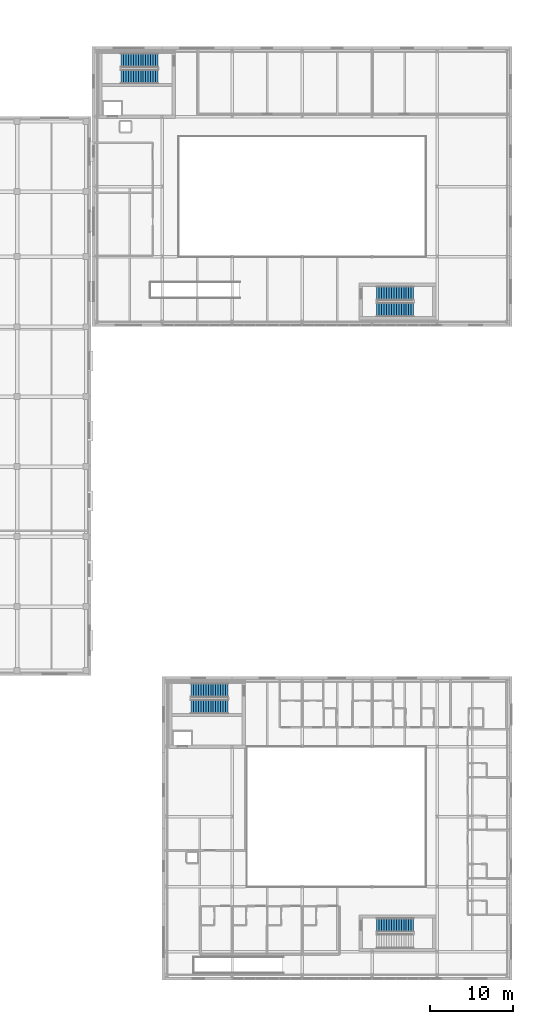
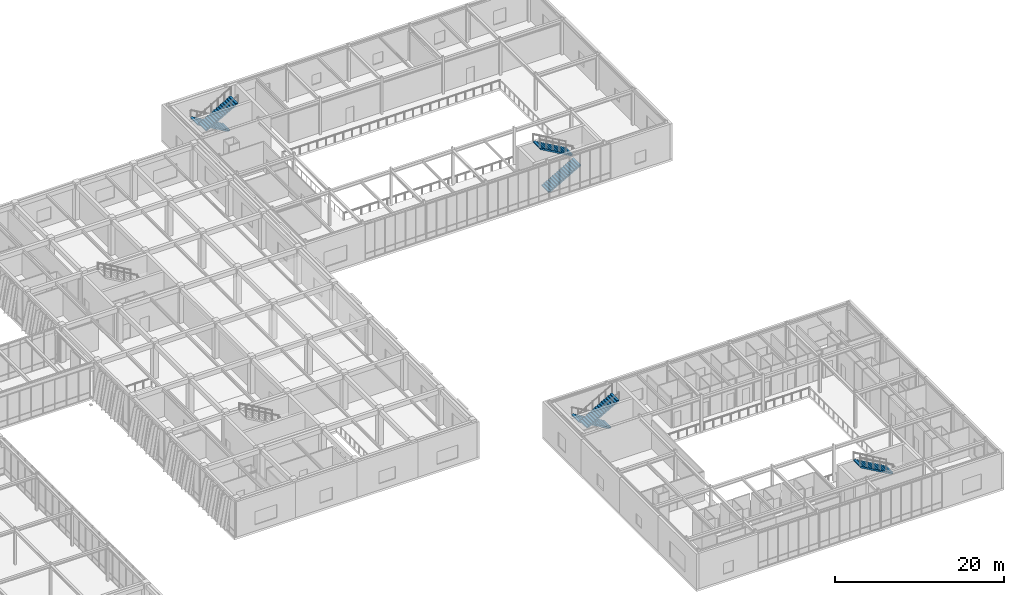
# One storey, part 122 of 139: 7 stair flights, 4 elements without a shape of their own.
"""IFC4 building model written with IfcOpenShell, lengths in metres."""

from ifc_helpers import new_model, si_unit, direction, frame, origin, place, context, subcontext, project, spatial, polyline, outline, extrude, material, type_object, element, aggregate, save


model = new_model("IFC4")

# Units and contexts
model_context = context("Model", 3, precision=1e-05, world=origin(), true_north=direction((0.0, 1.0)))
body_context = subcontext(model_context, "Body", "Model", "MODEL_VIEW")
ifc_project = project(units=[si_unit("LENGTHUNIT", "METRE"), si_unit("AREAUNIT", "SQUARE_METRE"), si_unit("VOLUMEUNIT", "CUBIC_METRE"), si_unit("PLANEANGLEUNIT", "RADIAN"), si_unit("MASSUNIT", "GRAM", prefix="KILO")], contexts=[model_context])

# Site, building, storey
site_placement = place(None, origin())
site = spatial("IfcSite", under=ifc_project, at=site_placement, CompositionType="ELEMENT")
building_placement = place(site_placement, origin())
building = spatial("IfcBuilding", under=site, at=building_placement, Name="Zayran Congress Hotel", CompositionType="ELEMENT")
storey_placement = place(building_placement, frame((0.0, 0.0, 5.39990234375)))
storey = spatial("IfcBuildingStorey", under=building, at=storey_placement, Name="L01", CompositionType="ELEMENT", Elevation=5.39990234375)

# Stair, stair flights
ifc_material = material(Name="Concrete C32/40", Category="concrete")
stair_type = type_object("IfcStairType", Name="TP-STR-1700-54", PredefinedType="USERDEFINED", material=ifc_material)
stair_1_placement = place(storey_placement, origin())
stair_1 = element("IfcStair", 1, at=stair_1_placement, inside=storey, type_object=stair_type, Name="L01 ST-09", ObjectType="TWO_RETURN_STAIR", PredefinedType="USERDEFINED")
stair_flight_type = type_object("IfcStairFlightType", Name="TP-STF-1700-54", PredefinedType="STRAIGHT", material=ifc_material)
stair_flight_1_placement = place(storey_placement, frame((150.699951171875, 116.35009765625, 0.0), z_axis=(0.0, 0.0, 1.0), x_axis=(-1.0, 0.0, 0.0)))
stair_flight_1 = element("IfcStairFlight", 2, at=stair_flight_1_placement, type_object=stair_flight_type, Name="ST-09 flight 1", NumberOfRisers=16, NumberOfTreads=15, PredefinedType="STRAIGHT", RiserHeight=0.16875, TreadLength=0.295, context=body_context, shape_type="SweptSolid", body=[
    extrude(outline(polyline([(0.0, 0.0), (0.0, 0.168701171875), (0.294921875, 0.168701171875), (0.294921875, 0.33740234375), (0.590087890625, 0.33740234375), (0.590087890625, 0.50634765625), (0.885009765625, 0.50634765625), (0.885009765625, 0.675048828125), (1.179931640625, 0.675048828125), (1.179931640625, 0.84375), (1.47509765625, 0.84375), (1.47509765625, 1.012451171875), (1.77001953125, 1.012451171875), (1.77001953125, 1.18115234375), (2.06494140625, 1.18115234375), (2.06494140625, 1.35009765625), (2.360107421875, 1.35009765625), (2.360107421875, 1.518798828125), (2.655029296875, 1.518798828125), (2.655029296875, 1.6875), (2.949951171875, 1.6875), (2.949951171875, 1.856201171875), (3.2451171875, 1.856201171875), (3.2451171875, 2.02490234375), (3.5400390625, 2.02490234375), (3.5400390625, 2.19384765625), (3.8349609375, 2.19384765625), (3.8349609375, 2.362548828125), (4.1298828125, 2.362548828125), (4.1298828125, 2.53125), (4.425048828125, 2.53125), (4.425048828125, 2.699951171875), (4.425048828125, 2.358642578125), (0.302001953125, 0.0), (0.0, 0.0)])), frame((0.0, 0.85009765625, 0.0), z_axis=(0.0, -1.0, 0.0), x_axis=(1.0, 0.0, 0.0)), (0.0, 0.0, 1.0), 1.699951171875),
])
stair_flight_2_placement = place(storey_placement, frame((146.27490234375, 114.409912109375, 2.7001953125), z_axis=(0.0, 0.0, 1.0), x_axis=(1.0, 0.0, 0.0)))
stair_flight_2 = element("IfcStairFlight", 3, at=stair_flight_2_placement, type_object=stair_flight_type, Name="ST-09 flight 2", NumberOfRisers=16, NumberOfTreads=15, PredefinedType="STRAIGHT", RiserHeight=0.16875, TreadLength=0.295, context=body_context, shape_type="SweptSolid", body=[
    extrude(outline(polyline([(0.0, 0.0), (0.0, 0.168701171875), (0.294921875, 0.168701171875), (0.294921875, 0.33740234375), (0.590087890625, 0.33740234375), (0.590087890625, 0.50634765625), (0.885009765625, 0.50634765625), (0.885009765625, 0.675048828125), (1.179931640625, 0.675048828125), (1.179931640625, 0.84375), (1.47509765625, 0.84375), (1.47509765625, 1.012451171875), (1.77001953125, 1.012451171875), (1.77001953125, 1.18115234375), (2.06494140625, 1.18115234375), (2.06494140625, 1.35009765625), (2.360107421875, 1.35009765625), (2.360107421875, 1.518798828125), (2.655029296875, 1.518798828125), (2.655029296875, 1.6875), (2.949951171875, 1.6875), (2.949951171875, 1.856201171875), (3.2451171875, 1.856201171875), (3.2451171875, 2.02490234375), (3.5400390625, 2.02490234375), (3.5400390625, 2.19384765625), (3.8349609375, 2.19384765625), (3.8349609375, 2.362548828125), (4.1298828125, 2.362548828125), (4.1298828125, 2.53125), (4.425048828125, 2.53125), (4.425048828125, 2.699951171875), (4.425048828125, 2.358642578125), (0.302001953125, 0.0), (0.0, 0.0)])), frame((0.0, 0.85009765625, 0.0), z_axis=(0.0, -1.0, 0.0), x_axis=(1.0, 0.0, 0.0)), (0.0, 0.0, 1.0), 1.699951171875),
])
aggregate(stair_1, [stair_flight_1, stair_flight_2])

stair_2_placement = place(storey_placement, origin())
stair_2 = element("IfcStair", 4, at=stair_2_placement, inside=storey, type_object=stair_type, Name="L01 ST-10", ObjectType="TWO_RETURN_STAIR", PredefinedType="USERDEFINED")
stair_flight_3_placement = place(storey_placement, frame((176.949951171875, 86.449951171875, 0.0), z_axis=(0.0, 0.0, 1.0), x_axis=(1.0, 0.0, 0.0)))
stair_flight_3 = element("IfcStairFlight", 5, at=stair_flight_3_placement, type_object=stair_flight_type, Name="ST-10 flight 1", NumberOfRisers=16, NumberOfTreads=15, PredefinedType="STRAIGHT", RiserHeight=0.16875, TreadLength=0.295, context=body_context, shape_type="SweptSolid", body=[
    extrude(outline(polyline([(0.0, 0.0), (0.0, 0.168701171875), (0.294921875, 0.168701171875), (0.294921875, 0.33740234375), (0.590087890625, 0.33740234375), (0.590087890625, 0.50634765625), (0.885009765625, 0.50634765625), (0.885009765625, 0.675048828125), (1.179931640625, 0.675048828125), (1.179931640625, 0.84375), (1.47509765625, 0.84375), (1.47509765625, 1.012451171875), (1.77001953125, 1.012451171875), (1.77001953125, 1.18115234375), (2.06494140625, 1.18115234375), (2.06494140625, 1.35009765625), (2.360107421875, 1.35009765625), (2.360107421875, 1.518798828125), (2.655029296875, 1.518798828125), (2.655029296875, 1.6875), (2.949951171875, 1.6875), (2.949951171875, 1.856201171875), (3.2451171875, 1.856201171875), (3.2451171875, 2.02490234375), (3.5400390625, 2.02490234375), (3.5400390625, 2.19384765625), (3.8349609375, 2.19384765625), (3.8349609375, 2.362548828125), (4.1298828125, 2.362548828125), (4.1298828125, 2.53125), (4.425048828125, 2.53125), (4.425048828125, 2.699951171875), (4.425048828125, 2.358642578125), (0.302001953125, 0.0), (0.0, 0.0)])), frame((0.0, 0.85009765625, 0.0), z_axis=(0.0, -1.0, 0.0), x_axis=(1.0, 0.0, 0.0)), (0.0, 0.0, 1.0), 1.699951171875),
])
stair_flight_4_placement = place(storey_placement, frame((181.375, 88.389892578125, 2.7001953125), z_axis=(0.0, 0.0, 1.0), x_axis=(-1.0, 0.0, 0.0)))
stair_flight_4 = element("IfcStairFlight", 6, at=stair_flight_4_placement, type_object=stair_flight_type, Name="ST-10 flight 2", NumberOfRisers=16, NumberOfTreads=15, PredefinedType="STRAIGHT", RiserHeight=0.16875, TreadLength=0.295, context=body_context, shape_type="SweptSolid", body=[
    extrude(outline(polyline([(0.0, 0.0), (0.0, 0.168701171875), (0.294921875, 0.168701171875), (0.294921875, 0.33740234375), (0.590087890625, 0.33740234375), (0.590087890625, 0.50634765625), (0.885009765625, 0.50634765625), (0.885009765625, 0.675048828125), (1.179931640625, 0.675048828125), (1.179931640625, 0.84375), (1.47509765625, 0.84375), (1.47509765625, 1.012451171875), (1.77001953125, 1.012451171875), (1.77001953125, 1.18115234375), (2.06494140625, 1.18115234375), (2.06494140625, 1.35009765625), (2.360107421875, 1.35009765625), (2.360107421875, 1.518798828125), (2.655029296875, 1.518798828125), (2.655029296875, 1.6875), (2.949951171875, 1.6875), (2.949951171875, 1.856201171875), (3.2451171875, 1.856201171875), (3.2451171875, 2.02490234375), (3.5400390625, 2.02490234375), (3.5400390625, 2.19384765625), (3.8349609375, 2.19384765625), (3.8349609375, 2.362548828125), (4.1298828125, 2.362548828125), (4.1298828125, 2.53125), (4.425048828125, 2.53125), (4.425048828125, 2.699951171875), (4.425048828125, 2.358642578125), (0.302001953125, 0.0), (0.0, 0.0)])), frame((0.0, 0.85009765625, 0.0), z_axis=(0.0, -1.0, 0.0), x_axis=(1.0, 0.0, 0.0)), (0.0, 0.0, 1.0), 1.699951171875),
])
aggregate(stair_2, [stair_flight_3, stair_flight_4])

stair_3_placement = place(storey_placement, origin())
stair_3 = element("IfcStair", 7, at=stair_3_placement, inside=storey, type_object=stair_type, Name="L01 ST-11", ObjectType="TWO_RETURN_STAIR", PredefinedType="USERDEFINED")
stair_flight_5_placement = place(storey_placement, frame((159.10009765625, 40.75, 0.0), z_axis=(0.0, 0.0, 1.0), x_axis=(-1.0, 0.0, 0.0)))
stair_flight_5 = element("IfcStairFlight", 8, at=stair_flight_5_placement, type_object=stair_flight_type, Name="ST-11 flight 1", NumberOfRisers=16, NumberOfTreads=15, PredefinedType="STRAIGHT", RiserHeight=0.16875, TreadLength=0.295, context=body_context, shape_type="SweptSolid", body=[
    extrude(outline(polyline([(0.0, 0.0), (0.0, 0.168701171875), (0.294921875, 0.168701171875), (0.294921875, 0.33740234375), (0.590087890625, 0.33740234375), (0.590087890625, 0.50634765625), (0.885009765625, 0.50634765625), (0.885009765625, 0.675048828125), (1.179931640625, 0.675048828125), (1.179931640625, 0.84375), (1.47509765625, 0.84375), (1.47509765625, 1.012451171875), (1.77001953125, 1.012451171875), (1.77001953125, 1.18115234375), (2.06494140625, 1.18115234375), (2.06494140625, 1.35009765625), (2.360107421875, 1.35009765625), (2.360107421875, 1.518798828125), (2.655029296875, 1.518798828125), (2.655029296875, 1.6875), (2.949951171875, 1.6875), (2.949951171875, 1.856201171875), (3.2451171875, 1.856201171875), (3.2451171875, 2.02490234375), (3.5400390625, 2.02490234375), (3.5400390625, 2.19384765625), (3.8349609375, 2.19384765625), (3.8349609375, 2.362548828125), (4.1298828125, 2.362548828125), (4.1298828125, 2.53125), (4.425048828125, 2.53125), (4.425048828125, 2.699951171875), (4.425048828125, 2.358642578125), (0.302001953125, 0.0), (0.0, 0.0)])), frame((0.0, 0.85009765625, 0.0), z_axis=(0.0, -1.0, 0.0), x_axis=(1.0, 0.0, 0.0)), (0.0, 0.0, 1.0), 1.699951171875),
])
stair_flight_6_placement = place(storey_placement, frame((154.675048828125, 38.81005859375, 2.7001953125), z_axis=(0.0, 0.0, 1.0), x_axis=(1.0, 0.0, 0.0)))
stair_flight_6 = element("IfcStairFlight", 9, at=stair_flight_6_placement, type_object=stair_flight_type, Name="ST-11 flight 2", NumberOfRisers=16, NumberOfTreads=15, PredefinedType="STRAIGHT", RiserHeight=0.16875, TreadLength=0.295, context=body_context, shape_type="SweptSolid", body=[
    extrude(outline(polyline([(0.0, 0.0), (0.0, 0.168701171875), (0.294921875, 0.168701171875), (0.294921875, 0.33740234375), (0.590087890625, 0.33740234375), (0.590087890625, 0.50634765625), (0.885009765625, 0.50634765625), (0.885009765625, 0.675048828125), (1.179931640625, 0.675048828125), (1.179931640625, 0.84375), (1.47509765625, 0.84375), (1.47509765625, 1.012451171875), (1.77001953125, 1.012451171875), (1.77001953125, 1.18115234375), (2.06494140625, 1.18115234375), (2.06494140625, 1.35009765625), (2.360107421875, 1.35009765625), (2.360107421875, 1.518798828125), (2.655029296875, 1.518798828125), (2.655029296875, 1.6875), (2.949951171875, 1.6875), (2.949951171875, 1.856201171875), (3.2451171875, 1.856201171875), (3.2451171875, 2.02490234375), (3.5400390625, 2.02490234375), (3.5400390625, 2.19384765625), (3.8349609375, 2.19384765625), (3.8349609375, 2.362548828125), (4.1298828125, 2.362548828125), (4.1298828125, 2.53125), (4.425048828125, 2.53125), (4.425048828125, 2.699951171875), (4.425048828125, 2.358642578125), (0.302001953125, 0.0), (0.0, 0.0)])), frame((0.0, 0.85009765625, 0.0), z_axis=(0.0, -1.0, 0.0), x_axis=(1.0, 0.0, 0.0)), (0.0, 0.0, 1.0), 1.699951171875),
])
aggregate(stair_3, [stair_flight_5, stair_flight_6])

# Stair, stair flight
stair_4_placement = place(storey_placement, origin())
stair_4 = element("IfcStair", 10, at=stair_4_placement, inside=storey, type_object=stair_type, Name="L01 ST-12", ObjectType="TWO_RETURN_STAIR", PredefinedType="USERDEFINED")
stair_flight_7_placement = place(storey_placement, frame((181.375, 12.590087890625, 2.7001953125), z_axis=(0.0, 0.0, 1.0), x_axis=(-1.0, 0.0, 0.0)))
stair_flight_7 = element("IfcStairFlight", 11, at=stair_flight_7_placement, type_object=stair_flight_type, Name="ST-12 flight 2", NumberOfRisers=16, NumberOfTreads=15, PredefinedType="STRAIGHT", RiserHeight=0.16875, TreadLength=0.295, context=body_context, shape_type="SweptSolid", body=[
    extrude(outline(polyline([(0.0, 0.0), (0.0, 0.168701171875), (0.294921875, 0.168701171875), (0.294921875, 0.33740234375), (0.590087890625, 0.33740234375), (0.590087890625, 0.50634765625), (0.885009765625, 0.50634765625), (0.885009765625, 0.675048828125), (1.179931640625, 0.675048828125), (1.179931640625, 0.84375), (1.47509765625, 0.84375), (1.47509765625, 1.012451171875), (1.77001953125, 1.012451171875), (1.77001953125, 1.18115234375), (2.06494140625, 1.18115234375), (2.06494140625, 1.35009765625), (2.360107421875, 1.35009765625), (2.360107421875, 1.518798828125), (2.655029296875, 1.518798828125), (2.655029296875, 1.6875), (2.949951171875, 1.6875), (2.949951171875, 1.856201171875), (3.2451171875, 1.856201171875), (3.2451171875, 2.02490234375), (3.5400390625, 2.02490234375), (3.5400390625, 2.19384765625), (3.8349609375, 2.19384765625), (3.8349609375, 2.362548828125), (4.1298828125, 2.362548828125), (4.1298828125, 2.53125), (4.425048828125, 2.53125), (4.425048828125, 2.699951171875), (4.425048828125, 2.358642578125), (0.302001953125, 0.0), (0.0, 0.0)])), frame((0.0, 0.85009765625, 0.0), z_axis=(0.0, -1.0, 0.0), x_axis=(1.0, 0.0, 0.0)), (0.0, 0.0, 1.0), 1.699951171875),
])
aggregate(stair_4, [stair_flight_7])

save(model, "model.ifc")
